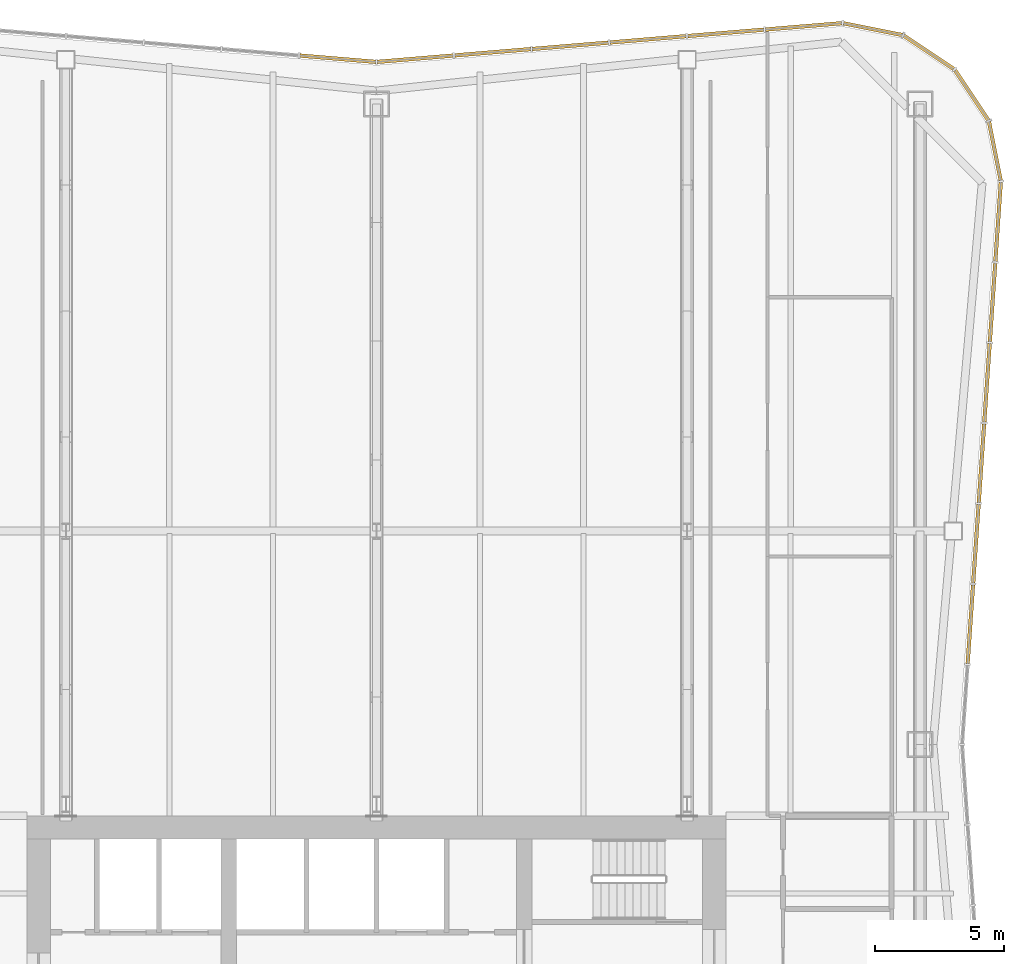
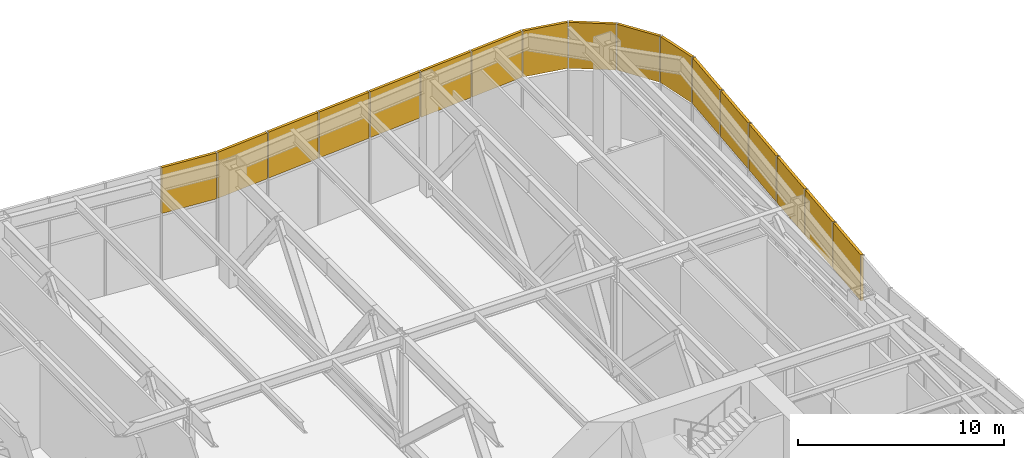
# One storey, part 14 of 14: 17 shading devices, 3 elements without a shape of their own.
"""IFC4 building model written with IfcOpenShell, lengths in metres."""

from ifc_helpers import new_model, si_unit, direction, frame, origin, origin_2d, place, context, subcontext, project, spatial, rectangle, extrude, material, layer, layer_set, type_object, element, aggregate, save


model = new_model("IFC4")

# Units and contexts
model_context = context("Model", 3, precision=1e-05, world=origin(), true_north=direction((0.0, 1.0)))
body_context = subcontext(model_context, "Body", "Model", "MODEL_VIEW")
ifc_project = project(units=[si_unit("LENGTHUNIT", "METRE"), si_unit("AREAUNIT", "SQUARE_METRE"), si_unit("VOLUMEUNIT", "CUBIC_METRE"), si_unit("PLANEANGLEUNIT", "RADIAN"), si_unit("MASSUNIT", "GRAM", prefix="KILO")], contexts=[model_context])

# Site, building, storey
site_placement = place(None, origin())
site = spatial("IfcSite", under=ifc_project, at=site_placement, CompositionType="ELEMENT")
building_placement = place(site_placement, origin())
building = spatial("IfcBuilding", under=site, at=building_placement, Name="Verdant Reach Tower", CompositionType="ELEMENT")
storey_placement = place(building_placement, frame((0.0, 0.0, 226.0)))
storey = spatial("IfcBuildingStorey", under=building, at=storey_placement, Name="L52 Plant", CompositionType="ELEMENT", Elevation=226.0)

# Curtain wall, shading devices
ifc_material_1 = material(Name="Anodised aluminium", Category="aluminium")
curtain_wall_type = type_object("IfcCurtainWallType", Name="EN-CW SYSTEM PLANT", PredefinedType="NOTDEFINED", material=ifc_material_1)
curtain_wall_1_placement = place(storey_placement, origin())
curtain_wall_1 = element("IfcCurtainWall", 1, at=curtain_wall_1_placement, inside=storey, type_object=curtain_wall_type, Name="Curtain wall east, L52", PredefinedType="NOTDEFINED")
ifc_material_2 = material(Name="Bronze anodised aluminium louvre", Category="aluminium")
ifc_layer = layer(ifc_material_2, 0.14990234375)
ifc_layer_set = layer_set([ifc_layer], Name="EN-LOUVRE")
shading_device_type = type_object("IfcShadingDeviceType", Name="EN-LOUVRE", PredefinedType="USERDEFINED", material=ifc_layer_set)
shading_device_1_placement = place(storey_placement, frame((22.940185546875, 45.902587890625, 3.925048828125), z_axis=(0.0, 0.0, 1.0), x_axis=(0.068802091615, 0.997630328423, 0.0)))
shading_device_1 = element("IfcShadingDevice", 2, at=shading_device_1_placement, type_object=shading_device_type, Name="Louvre bank east face part 2 2, L52", ObjectType="LOUVRE", PredefinedType="USERDEFINED", context=body_context, shape_type="SweptSolid", body=[
    extrude(rectangle(XDim=3.03857421875, YDim=0.14990234375, at=origin_2d()), origin(), (0.0, 0.0, 1.0), 2.72509765625),
])
shading_device_2_placement = place(storey_placement, frame((23.154541015625, 49.009765625, 3.925048828125), z_axis=(0.0, 0.0, 1.0), x_axis=(0.068802091615, 0.997630328423, 0.0)))
shading_device_2 = element("IfcShadingDevice", 3, at=shading_device_2_placement, type_object=shading_device_type, Name="Louvre bank east face part 2 3, L52", ObjectType="LOUVRE", PredefinedType="USERDEFINED", context=body_context, shape_type="SweptSolid", body=[
    extrude(rectangle(XDim=3.03857421875, YDim=0.14990234375, at=origin_2d()), origin(), (0.0, 0.0, 1.0), 2.72509765625),
])
shading_device_3_placement = place(storey_placement, frame((23.36865234375, 52.11669921875, 3.925048828125), z_axis=(0.0, 0.0, 1.0), x_axis=(0.068802091615, 0.997630328423, 0.0)))
shading_device_3 = element("IfcShadingDevice", 4, at=shading_device_3_placement, type_object=shading_device_type, Name="Louvre bank east face part 2 4, L52", ObjectType="LOUVRE", PredefinedType="USERDEFINED", context=body_context, shape_type="SweptSolid", body=[
    extrude(rectangle(XDim=3.03857421875, YDim=0.14990234375, at=origin_2d()), origin(), (0.0, 0.0, 1.0), 2.72509765625),
])
shading_device_4_placement = place(storey_placement, frame((23.5830078125, 55.223876953125, 3.925048828125), z_axis=(0.0, 0.0, 1.0), x_axis=(0.068802091615, 0.997630328423, 0.0)))
shading_device_4 = element("IfcShadingDevice", 5, at=shading_device_4_placement, type_object=shading_device_type, Name="Louvre bank east face part 2 5, L52", ObjectType="LOUVRE", PredefinedType="USERDEFINED", context=body_context, shape_type="SweptSolid", body=[
    extrude(rectangle(XDim=3.03857421875, YDim=0.14990234375, at=origin_2d()), origin(), (0.0, 0.0, 1.0), 2.72509765625),
])
shading_device_5_placement = place(storey_placement, frame((23.79736328125, 58.3310546875, 3.925048828125), z_axis=(0.0, 0.0, 1.0), x_axis=(0.068802091615, 0.997630328423, 0.0)))
shading_device_5 = element("IfcShadingDevice", 6, at=shading_device_5_placement, type_object=shading_device_type, Name="Louvre bank east face part 2 6, L52", ObjectType="LOUVRE", PredefinedType="USERDEFINED", context=body_context, shape_type="SweptSolid", body=[
    extrude(rectangle(XDim=3.03857421875, YDim=0.14990234375, at=origin_2d()), origin(), (0.0, 0.0, 1.0), 2.72509765625),
])
shading_device_6_placement = place(storey_placement, frame((24.011474609375, 61.446044921875, 3.925048828125), z_axis=(0.0, 0.0, 1.0), x_axis=(0.068469163133, 0.997653233193, 0.0)))
shading_device_6 = element("IfcShadingDevice", 7, at=shading_device_6_placement, type_object=shading_device_type, Name="Louvre bank east face part 2 7, L52", ObjectType="LOUVRE", PredefinedType="USERDEFINED", context=body_context, shape_type="SweptSolid", body=[
    extrude(rectangle(XDim=3.05419921875, YDim=0.14990234375, at=origin_2d()), origin(), (0.0, 0.0, 1.0), 2.72509765625),
])
aggregate(curtain_wall_1, [shading_device_1, shading_device_2, shading_device_3, shading_device_4, shading_device_5, shading_device_6])

curtain_wall_2_placement = place(storey_placement, origin())
curtain_wall_2 = element("IfcCurtainWall", 8, at=curtain_wall_2_placement, inside=storey, type_object=curtain_wall_type, Name="Curtain wall north-east corner, L52", PredefinedType="NOTDEFINED")
shading_device_7_placement = place(storey_placement, frame((23.885986328125, 64.174560546875, 3.925048828125), z_axis=(0.0, 0.0, 1.0), x_axis=(-0.195592962334, 0.980685165119, 0.0)))
shading_device_7 = element("IfcShadingDevice", 9, at=shading_device_7_placement, type_object=shading_device_type, Name="Louvre bank north-east corner 1, L52", ObjectType="LOUVRE", PredefinedType="USERDEFINED", context=body_context, shape_type="SweptSolid", body=[
    extrude(rectangle(XDim=2.303955078125, YDim=0.14990234375, at=origin_2d()), origin(), (0.0, 0.0, 1.0), 2.72509765625),
])
shading_device_8_placement = place(storey_placement, frame((22.989990234375, 66.334228515625, 3.925048828125), z_axis=(0.0, 0.0, 1.0), x_axis=(-0.555596466265, 0.83145208321, 0.0)))
shading_device_8 = element("IfcShadingDevice", 10, at=shading_device_8_placement, type_object=shading_device_type, Name="Louvre bank north-east corner 2, L52", ObjectType="LOUVRE", PredefinedType="USERDEFINED", context=body_context, shape_type="SweptSolid", body=[
    extrude(rectangle(XDim=2.3115234375, YDim=0.14990234375, at=origin_2d()), origin(), (0.0, 0.0, 1.0), 2.72509765625),
])
shading_device_9_placement = place(storey_placement, frame((21.334228515625, 67.989990234375, 3.925048828125), z_axis=(0.0, 0.0, 1.0), x_axis=(-0.83145208321, 0.555596466265, 0.0)))
shading_device_9 = element("IfcShadingDevice", 11, at=shading_device_9_placement, type_object=shading_device_type, Name="Louvre bank north-east corner 3, L52", ObjectType="LOUVRE", PredefinedType="USERDEFINED", context=body_context, shape_type="SweptSolid", body=[
    extrude(rectangle(XDim=2.3115234375, YDim=0.14990234375, at=origin_2d()), origin(), (0.0, 0.0, 1.0), 2.72509765625),
])
shading_device_10_placement = place(storey_placement, frame((19.174072265625, 68.885986328125, 3.925048828125), z_axis=(0.0, 0.0, 1.0), x_axis=(-0.980694678629, 0.195545256419, 0.0)))
shading_device_10 = element("IfcShadingDevice", 12, at=shading_device_10_placement, type_object=shading_device_type, Name="Louvre bank north-east corner 4, L52", ObjectType="LOUVRE", PredefinedType="USERDEFINED", context=body_context, shape_type="SweptSolid", body=[
    extrude(rectangle(XDim=2.304931640625, YDim=0.14990234375, at=origin_2d()), origin(), (0.0, 0.0, 1.0), 2.72509765625),
])
aggregate(curtain_wall_2, [shading_device_7, shading_device_8, shading_device_9, shading_device_10])

curtain_wall_3_placement = place(storey_placement, origin())
curtain_wall_3 = element("IfcCurtainWall", 13, at=curtain_wall_3_placement, inside=storey, type_object=curtain_wall_type, Name="Curtain wall north, L52", PredefinedType="NOTDEFINED")
shading_device_11_placement = place(storey_placement, frame((16.49853515625, 68.99365234375, 3.925048828125), z_axis=(0.0, 0.0, 1.0), x_axis=(-0.996577509664, -0.082663578629, 0.0)))
shading_device_11 = element("IfcShadingDevice", 14, at=shading_device_11_placement, type_object=shading_device_type, Name="Louvre bank north face part 1 1, L52", ObjectType="LOUVRE", PredefinedType="USERDEFINED", context=body_context, shape_type="SweptSolid", body=[
    extrude(rectangle(XDim=2.950927734375, YDim=0.14990234375, at=origin_2d()), origin(), (0.0, 0.0, 1.0), 2.72509765625),
])
shading_device_12_placement = place(storey_placement, frame((13.490234375, 68.74365234375, 3.925048828125), z_axis=(0.0, 0.0, 1.0), x_axis=(-0.996545758244, -0.083045479859, 0.0)))
shading_device_12 = element("IfcShadingDevice", 15, at=shading_device_12_placement, type_object=shading_device_type, Name="Louvre bank north face part 1 2, L52", ObjectType="LOUVRE", PredefinedType="USERDEFINED", context=body_context, shape_type="SweptSolid", body=[
    extrude(rectangle(XDim=2.934326171875, YDim=0.14990234375, at=origin_2d()), origin(), (0.0, 0.0, 1.0), 2.72509765625),
])
shading_device_13_placement = place(storey_placement, frame((10.490234375, 68.49365234375, 3.925048828125), z_axis=(0.0, 0.0, 1.0), x_axis=(-0.996545758244, -0.083045479859, 0.0)))
shading_device_13 = element("IfcShadingDevice", 16, at=shading_device_13_placement, type_object=shading_device_type, Name="Louvre bank north face part 1 3, L52", ObjectType="LOUVRE", PredefinedType="USERDEFINED", context=body_context, shape_type="SweptSolid", body=[
    extrude(rectangle(XDim=2.934326171875, YDim=0.14990234375, at=origin_2d()), origin(), (0.0, 0.0, 1.0), 2.72509765625),
])
shading_device_14_placement = place(storey_placement, frame((7.490234375, 68.24365234375, 3.925048828125), z_axis=(0.0, 0.0, 1.0), x_axis=(-0.996545758244, -0.083045479859, 0.0)))
shading_device_14 = element("IfcShadingDevice", 17, at=shading_device_14_placement, type_object=shading_device_type, Name="Louvre bank north face part 1 4, L52", ObjectType="LOUVRE", PredefinedType="USERDEFINED", context=body_context, shape_type="SweptSolid", body=[
    extrude(rectangle(XDim=2.934326171875, YDim=0.14990234375, at=origin_2d()), origin(), (0.0, 0.0, 1.0), 2.72509765625),
])
shading_device_15_placement = place(storey_placement, frame((4.490234375, 67.99365234375, 3.925048828125), z_axis=(0.0, 0.0, 1.0), x_axis=(-0.996545758244, -0.083045479859, 0.0)))
shading_device_15 = element("IfcShadingDevice", 18, at=shading_device_15_placement, type_object=shading_device_type, Name="Louvre bank north face part 1 5, L52", ObjectType="LOUVRE", PredefinedType="USERDEFINED", context=body_context, shape_type="SweptSolid", body=[
    extrude(rectangle(XDim=2.934326171875, YDim=0.14990234375, at=origin_2d()), origin(), (0.0, 0.0, 1.0), 2.72509765625),
])
shading_device_16_placement = place(storey_placement, frame((1.4951171875, 67.743896484375, 3.925048828125), z_axis=(0.0, 0.0, 1.0), x_axis=(-0.996534372104, -0.083182000546, 0.0)))
shading_device_16 = element("IfcShadingDevice", 19, at=shading_device_16_placement, type_object=shading_device_type, Name="Louvre bank north face part 1 6, L52", ObjectType="LOUVRE", PredefinedType="USERDEFINED", context=body_context, shape_type="SweptSolid", body=[
    extrude(rectangle(XDim=2.924560546875, YDim=0.14990234375, at=origin_2d()), origin(), (0.0, 0.0, 1.0), 2.72509765625),
])
shading_device_17_placement = place(storey_placement, frame((-1.4951171875, 67.743896484375, 3.925048828125), z_axis=(0.0, 0.0, 1.0), x_axis=(-0.996534372104, 0.083182000546, 0.0)))
shading_device_17 = element("IfcShadingDevice", 20, at=shading_device_17_placement, type_object=shading_device_type, Name="Louvre bank north face part 2 1, L52", ObjectType="LOUVRE", PredefinedType="USERDEFINED", context=body_context, shape_type="SweptSolid", body=[
    extrude(rectangle(XDim=2.924560546875, YDim=0.14990234375, at=origin_2d()), origin(), (0.0, 0.0, 1.0), 2.72509765625),
])
aggregate(curtain_wall_3, [shading_device_11, shading_device_12, shading_device_13, shading_device_14, shading_device_15, shading_device_16, shading_device_17])

save(model, "model.ifc")
